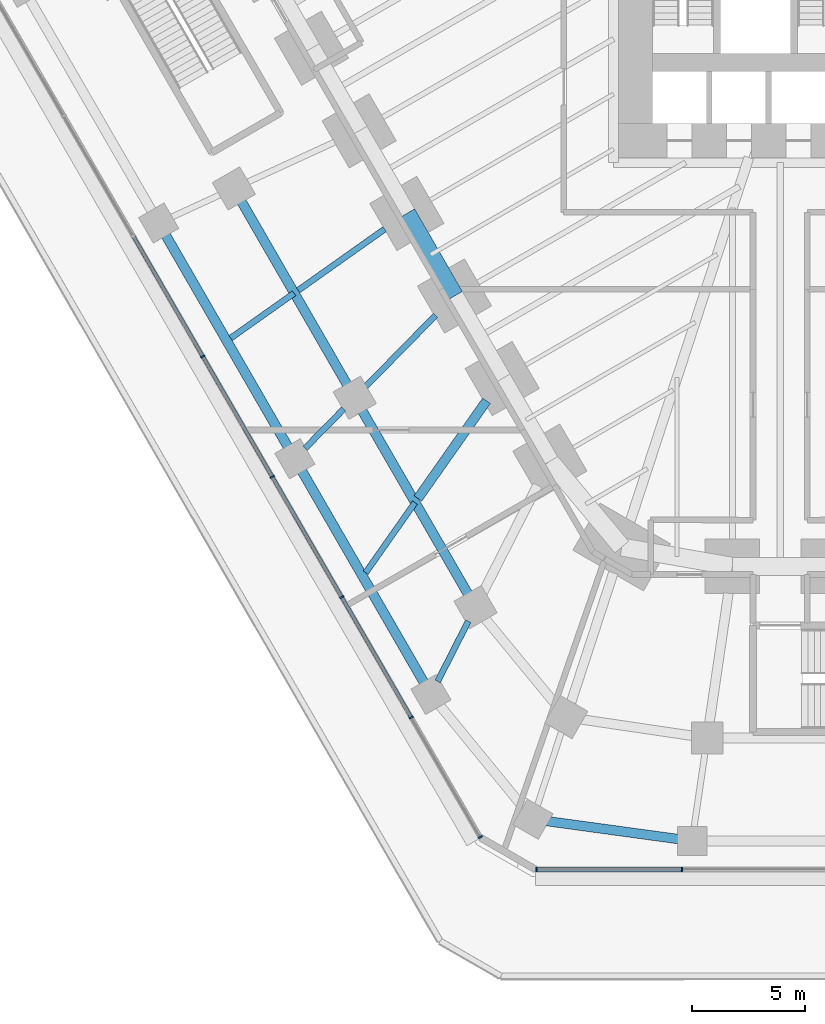
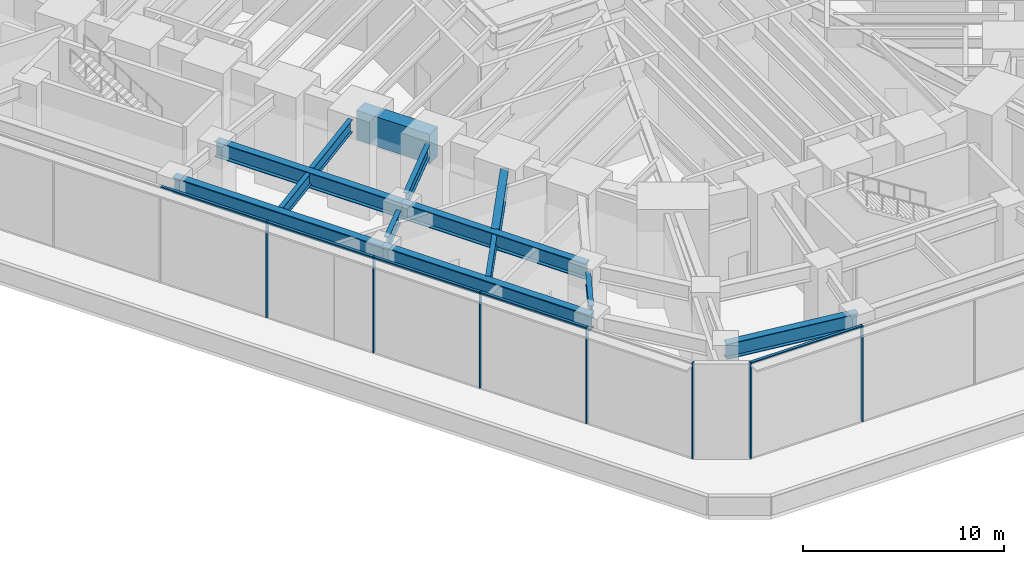
# One storey, part 2 of 25: 13 beams, 12 members, 2 elements without a shape of their own.
"""IFC4 building model written with IfcOpenShell, lengths in metres."""

from ifc_helpers import new_model, si_unit, direction, frame, origin, origin_2d, place, context, subcontext, project, spatial, rectangle, i_section, extrude, material, material_profile, profile_set, type_object, element, aggregate, save


model = new_model("IFC4")

# Units and contexts
model_context = context("Model", 3, precision=1e-05, world=origin(), true_north=direction((0.0, 1.0)))
body_context = subcontext(model_context, "Body", "Model", "MODEL_VIEW")
ifc_project = project(units=[si_unit("LENGTHUNIT", "METRE"), si_unit("AREAUNIT", "SQUARE_METRE"), si_unit("VOLUMEUNIT", "CUBIC_METRE"), si_unit("PLANEANGLEUNIT", "RADIAN"), si_unit("MASSUNIT", "GRAM", prefix="KILO")], contexts=[model_context])

# Site, building, storey
site_placement = place(None, origin())
site = spatial("IfcSite", under=ifc_project, at=site_placement, CompositionType="ELEMENT")
building_placement = place(site_placement, origin())
building = spatial("IfcBuilding", under=site, at=building_placement, Name="Sandreach Pilgrim Tower", CompositionType="ELEMENT")
storey_placement = place(building_placement, frame((0.0, 0.0, 6.0)))
storey = spatial("IfcBuildingStorey", under=building, at=storey_placement, Name="L01", CompositionType="ELEMENT", Elevation=6.0)

# Curtain wall, members
ifc_material_1 = material(Name="Aluminium framed curtain wall", Category="aluminium")
curtain_wall_type = type_object("IfcCurtainWallType", Name="Podium storefront curtain wall", PredefinedType="NOTDEFINED", material=ifc_material_1)
curtain_wall_1_placement = place(storey_placement, origin())
curtain_wall_1 = element("IfcCurtainWall", 1, at=curtain_wall_1_placement, inside=storey, type_object=curtain_wall_type, Name="CW-P L01 S", PredefinedType="NOTDEFINED")
ifc_material_2 = material(Name="Aluminium extrusion", Category="aluminium")
ifc_material_profile_1 = material_profile(ifc_material_2, rectangle(XDim=0.070068359375, YDim=0.199951171875, at=origin_2d()), Name="CW-PM 70X200")
ifc_profile_set_1 = profile_set([ifc_material_profile_1], Name="Aluminium extrusion")
member_type_1 = type_object("IfcMemberType", Name="CW-P mullion", PredefinedType="MULLION", material=ifc_profile_set_1)
member_1_placement = place(storey_placement, frame((-6.455078125, -42.13525390625, 0.0), z_axis=(0.0, 0.0, 1.0), x_axis=(-1.0, 0.0, 0.0)))
member_1 = element("IfcMember", 2, at=member_1_placement, type_object=member_type_1, Name="CW-P mullion 4", PredefinedType="MULLION", context=body_context, shape_type="SweptSolid", body=[
    extrude(rectangle(XDim=0.070068359375, YDim=0.199951171875, at=origin_2d()), origin(), (0.0, 0.0, 1.0), 5.840087890625),
])
member_2_placement = place(storey_placement, frame((-12.875244140625, -42.13525390625, 0.0), z_axis=(0.0, 0.0, 1.0), x_axis=(-1.0, 0.0, 0.0)))
member_2 = element("IfcMember", 3, at=member_2_placement, type_object=member_type_1, Name="CW-P mullion 5", PredefinedType="MULLION", context=body_context, shape_type="SweptSolid", body=[
    extrude(rectangle(XDim=0.070068359375, YDim=0.199951171875, at=origin_2d()), origin(), (0.0, 0.0, 1.0), 5.840087890625),
])

curtain_wall_2_placement = place(storey_placement, origin())
curtain_wall_2 = element("IfcCurtainWall", 4, at=curtain_wall_2_placement, inside=storey, type_object=curtain_wall_type, Name="CW-P L01 SW", PredefinedType="NOTDEFINED")
member_3_placement = place(storey_placement, frame((-15.3525390625, -40.704833984375, 0.0), z_axis=(0.0, 0.0, 1.0), x_axis=(-0.5, 0.866025403784, 0.0)))
member_3 = element("IfcMember", 5, at=member_3_placement, type_object=member_type_1, Name="CW-P mullion 1", PredefinedType="MULLION", context=body_context, shape_type="SweptSolid", body=[
    extrude(rectangle(XDim=0.070068359375, YDim=0.199951171875, at=origin_2d()), origin(), (0.0, 0.0, 1.0), 5.840087890625),
])
member_4_placement = place(storey_placement, frame((-18.40283203125, -35.421630859375, 0.0), z_axis=(0.0, 0.0, 1.0), x_axis=(-0.5, 0.866025403784, 0.0)))
member_4 = element("IfcMember", 6, at=member_4_placement, type_object=member_type_1, Name="CW-P mullion 2", PredefinedType="MULLION", context=body_context, shape_type="SweptSolid", body=[
    extrude(rectangle(XDim=0.070068359375, YDim=0.199951171875, at=origin_2d()), origin(), (0.0, 0.0, 1.0), 5.840087890625),
])
member_5_placement = place(storey_placement, frame((-21.470703125, -30.108154296875, 0.0), z_axis=(0.0, 0.0, 1.0), x_axis=(-0.5, 0.866025403784, 0.0)))
member_5 = element("IfcMember", 7, at=member_5_placement, type_object=member_type_1, Name="CW-P mullion 3", PredefinedType="MULLION", context=body_context, shape_type="SweptSolid", body=[
    extrude(rectangle(XDim=0.070068359375, YDim=0.199951171875, at=origin_2d()), origin(), (0.0, 0.0, 1.0), 5.840087890625),
])
member_6_placement = place(storey_placement, frame((-24.53857421875, -24.79443359375, 0.0), z_axis=(0.0, 0.0, 1.0), x_axis=(-0.5, 0.866025403784, 0.0)))
member_6 = element("IfcMember", 8, at=member_6_placement, type_object=member_type_1, Name="CW-P mullion 4", PredefinedType="MULLION", context=body_context, shape_type="SweptSolid", body=[
    extrude(rectangle(XDim=0.070068359375, YDim=0.199951171875, at=origin_2d()), origin(), (0.0, 0.0, 1.0), 5.840087890625),
])
member_7_placement = place(storey_placement, frame((-27.606201171875, -19.48095703125, 0.0), z_axis=(0.0, 0.0, 1.0), x_axis=(-0.5, 0.866025403784, 0.0)))
member_7 = element("IfcMember", 9, at=member_7_placement, type_object=member_type_1, Name="CW-P mullion 5", PredefinedType="MULLION", context=body_context, shape_type="SweptSolid", body=[
    extrude(rectangle(XDim=0.070068359375, YDim=0.199951171875, at=origin_2d()), origin(), (0.0, 0.0, 1.0), 5.840087890625),
])

# Member
ifc_material_3 = material(Name="Aluminium extrusion", Category="aluminium")
ifc_material_profile_2 = material_profile(ifc_material_3, rectangle(XDim=0.159912109375, YDim=0.070068359375, at=origin_2d()), Name="CW-PT 160X70")
ifc_profile_set_2 = profile_set([ifc_material_profile_2], Name="Aluminium extrusion")
member_type_2 = type_object("IfcMemberType", Name="CW-P transom", PredefinedType="USERDEFINED", material=ifc_profile_set_2)
member_8_placement = place(storey_placement, frame((-6.489990234375, -42.13525390625, 5.804931640625), z_axis=(-1.0, 0.0, 0.0), x_axis=(0.0, -1.0, 0.0)))
member_8 = element("IfcMember", 10, at=member_8_placement, type_object=member_type_2, Name="CW-P head transom 4", ObjectType="TRANSOM", PredefinedType="USERDEFINED", context=body_context, shape_type="SweptSolid", body=[
    extrude(rectangle(XDim=0.159912109375, YDim=0.070068359375, at=origin_2d()), origin(), (0.0, 0.0, 1.0), 6.350341796875),
])

aggregate(curtain_wall_1, [member_1, member_2, member_8])

member_9_placement = place(storey_placement, frame((-18.42041015625, -35.391357421875, 5.804931640625), z_axis=(-0.499991897794, 0.866030081544, 0.0), x_axis=(-0.866030081544, -0.499991897794, 0.0)))
member_9 = element("IfcMember", 11, at=member_9_placement, type_object=member_type_2, Name="CW-P head transom 2", ObjectType="TRANSOM", PredefinedType="USERDEFINED", context=body_context, shape_type="SweptSolid", body=[
    extrude(rectangle(XDim=0.159912109375, YDim=0.070068359375, at=origin_2d()), origin(), (0.0, 0.0, 1.0), 6.0654296875),
])

member_10_placement = place(storey_placement, frame((-21.48828125, -30.07763671875, 5.804931640625), z_axis=(-0.499991897794, 0.866030081544, 0.0), x_axis=(-0.866030081544, -0.499991897794, 0.0)))
member_10 = element("IfcMember", 12, at=member_10_placement, type_object=member_type_2, Name="CW-P head transom 3", ObjectType="TRANSOM", PredefinedType="USERDEFINED", context=body_context, shape_type="SweptSolid", body=[
    extrude(rectangle(XDim=0.159912109375, YDim=0.070068359375, at=origin_2d()), origin(), (0.0, 0.0, 1.0), 6.0654296875),
])

member_11_placement = place(storey_placement, frame((-24.555908203125, -24.76416015625, 5.804931640625), z_axis=(-0.500022085096, 0.866012652573, 0.0), x_axis=(-0.866012652573, -0.500022085096, 0.0)))
member_11 = element("IfcMember", 13, at=member_11_placement, type_object=member_type_2, Name="CW-P head transom 4", ObjectType="TRANSOM", PredefinedType="USERDEFINED", context=body_context, shape_type="SweptSolid", body=[
    extrude(rectangle(XDim=0.159912109375, YDim=0.070068359375, at=origin_2d()), origin(), (0.0, 0.0, 1.0), 6.065673828125),
])

member_12_placement = place(storey_placement, frame((-27.623779296875, -19.45068359375, 5.804931640625), z_axis=(-0.499974469505, 0.866040143321, 0.0), x_axis=(-0.866040143321, -0.499974469505, 0.0)))
member_12 = element("IfcMember", 14, at=member_12_placement, type_object=member_type_2, Name="CW-P head transom 5", ObjectType="TRANSOM", PredefinedType="USERDEFINED", context=body_context, shape_type="SweptSolid", body=[
    extrude(rectangle(XDim=0.159912109375, YDim=0.070068359375, at=origin_2d()), origin(), (0.0, 0.0, 1.0), 6.065673828125),
])

aggregate(curtain_wall_2, [member_3, member_4, member_5, member_6, member_7, member_9, member_10, member_11, member_12])

# Beams
ifc_material_4 = material(Name="Steel ASTM A992 Grade 50", Category="steel")
ifc_material_profile_3 = material_profile(ifc_material_4, i_section(OverallWidth=0.2666015625, OverallDepth=0.7568359375, WebThickness=0.013916015625, FlangeThickness=0.019287109375, at=origin_2d()), Name="W30X108")
ifc_profile_set_3 = profile_set([ifc_material_profile_3], Name="Steel ASTM A992 Grade 50")
beam_type_1 = type_object("IfcBeamType", Name="Podium beam W30X108", PredefinedType="BEAM", material=ifc_profile_set_3)
beam_1_placement = place(storey_placement, frame((-17.331787109375, -17.669921875, 5.46142578125), z_axis=(-0.700265324853, -0.713882675801, 0.0), x_axis=(0.713882675801, -0.700265324853, 0.0)))
element("IfcBeam", 15, at=beam_1_placement, inside=storey, type_object=beam_type_1, Name="BM L01 PR125-29", PredefinedType="BEAM", context=body_context, shape_type="SweptSolid", body=[
    extrude(i_section(OverallWidth=0.2666015625, OverallDepth=0.7568359375, WebThickness=0.013916015625, FlangeThickness=0.019287109375, at=origin_2d()), origin(), (0.0, 0.0, 1.0), 4.392578125),
])
beam_2_placement = place(storey_placement, frame((-19.575927734375, -13.86083984375, 5.46142578125), z_axis=(-0.816139386299, -0.577855087484, 0.0), x_axis=(0.577855087484, -0.816139386299, 0.0)))
element("IfcBeam", 16, at=beam_2_placement, inside=storey, type_object=beam_type_1, Name="BM L01 PR125-30", PredefinedType="BEAM", context=body_context, shape_type="SweptSolid", body=[
    extrude(i_section(OverallWidth=0.2666015625, OverallDepth=0.7568359375, WebThickness=0.013916015625, FlangeThickness=0.019287109375, at=origin_2d()), origin(), (0.0, 0.0, 1.0), 4.67626953125),
])
beam_3_placement = place(storey_placement, frame((-15.880859375, -31.169189453125, 5.37158203125), z_axis=(-0.454000462541, -0.891001447817, 0.0), x_axis=(0.891001447817, -0.454000462541, 0.0)))
element("IfcBeam", 17, at=beam_3_placement, inside=storey, type_object=beam_type_1, Name="BM L01 PR140-27", PredefinedType="BEAM", context=body_context, shape_type="SweptSolid", body=[
    extrude(i_section(OverallWidth=0.2666015625, OverallDepth=0.7568359375, WebThickness=0.013916015625, FlangeThickness=0.019287109375, at=origin_2d()), origin(), (0.0, 0.0, 1.0), 2.9873046875),
])
beam_4_placement = place(storey_placement, frame((-18.237548828125, -25.935302734375, 5.37158203125), z_axis=(-0.575192940591, -0.818017775537, 0.0), x_axis=(0.818017775537, -0.575192940591, 0.0)))
element("IfcBeam", 18, at=beam_4_placement, inside=storey, type_object=beam_type_1, Name="BM L01 PR140-28", PredefinedType="BEAM", context=body_context, shape_type="SweptSolid", body=[
    extrude(i_section(OverallWidth=0.2666015625, OverallDepth=0.7568359375, WebThickness=0.013916015625, FlangeThickness=0.019287109375, at=origin_2d()), origin(), (0.0, 0.0, 1.0), 3.784423828125),
])
beam_5_placement = place(storey_placement, frame((-21.38818359375, -21.80517578125, 5.37158203125), z_axis=(-0.700229384967, -0.713917928356, 0.0), x_axis=(0.713917928356, -0.700229384967, 0.0)))
element("IfcBeam", 19, at=beam_5_placement, inside=storey, type_object=beam_type_1, Name="BM L01 PR140-29", PredefinedType="BEAM", context=body_context, shape_type="SweptSolid", body=[
    extrude(i_section(OverallWidth=0.2666015625, OverallDepth=0.7568359375, WebThickness=0.013916015625, FlangeThickness=0.019287109375, at=origin_2d()), origin(), (0.0, 0.0, 1.0), 2.425537109375),
])
beam_6_placement = place(storey_placement, frame((-23.5751953125, -16.6923828125, 5.37158203125), z_axis=(-0.816128057089, -0.577871088075, 0.0), x_axis=(0.577871088075, -0.816128057089, 0.0)))
element("IfcBeam", 20, at=beam_6_placement, inside=storey, type_object=beam_type_1, Name="BM L01 PR140-30", PredefinedType="BEAM", context=body_context, shape_type="SweptSolid", body=[
    extrude(i_section(OverallWidth=0.2666015625, OverallDepth=0.7568359375, WebThickness=0.013916015625, FlangeThickness=0.019287109375, at=origin_2d()), origin(), (0.0, 0.0, 1.0), 3.427490234375),
])
ifc_material_5 = material(Name="Steel ASTM A992 Grade 50", Category="steel")
ifc_material_profile_4 = material_profile(ifc_material_5, i_section(OverallWidth=0.419189453125, OverallDepth=0.927001953125, WebThickness=0.019287109375, FlangeThickness=0.031982421875, at=origin_2d()), Name="W36X231")
ifc_profile_set_4 = profile_set([ifc_material_profile_4], Name="Steel ASTM A992 Grade 50")
beam_type_2 = type_object("IfcBeamType", Name="Podium beam W36X231", PredefinedType="BEAM", material=ifc_profile_set_4)
beam_7_placement = place(storey_placement, frame((-15.076904296875, -21.440673828125, 5.37646484375), z_axis=(-0.575223731199, -0.817996124114, 0.0), x_axis=(0.817996124114, -0.575223731199, 0.0)))
element("IfcBeam", 21, at=beam_7_placement, inside=storey, type_object=beam_type_2, Name="BM L01 PR125-28", PredefinedType="BEAM", context=body_context, shape_type="SweptSolid", body=[
    extrude(i_section(OverallWidth=0.419189453125, OverallDepth=0.927001953125, WebThickness=0.019287109375, FlangeThickness=0.031982421875, at=origin_2d()), origin(), (0.0, 0.0, 1.0), 5.2705078125),
])
ifc_material_6 = material(Name="Steel ASTM A992 Grade 50", Category="steel")
ifc_material_profile_5 = material_profile(ifc_material_6, i_section(OverallWidth=0.419189453125, OverallDepth=0.927001953125, WebThickness=0.019287109375, FlangeThickness=0.031982421875, at=origin_2d()), Name="W36X231")
ifc_profile_set_5 = profile_set([ifc_material_profile_5], Name="Steel ASTM A992 Grade 50")
beam_type_3 = type_object("IfcBeamType", Name="Podium edge beam W36X231", PredefinedType="BEAM", material=ifc_profile_set_5)
beam_8_placement = place(storey_placement, frame((-6.0029296875, -40.875244140625, 5.286376953125), z_axis=(-0.990781922529, 0.135466534578, 0.0), x_axis=(-0.135466534578, -0.990781922529, 0.0)))
element("IfcBeam", 22, at=beam_8_placement, inside=storey, type_object=beam_type_3, Name="BM L01 PE140-25", PredefinedType="BEAM", context=body_context, shape_type="SweptSolid", body=[
    extrude(i_section(OverallWidth=0.419189453125, OverallDepth=0.927001953125, WebThickness=0.019287109375, FlangeThickness=0.031982421875, at=origin_2d()), origin(), (0.0, 0.0, 1.0), 7.091796875),
])
ifc_material_7 = material(Name="Steel ASTM A992 Grade 50", Category="steel")
ifc_material_profile_6 = material_profile(ifc_material_7, i_section(OverallWidth=0.424072265625, OverallDepth=0.947509765625, WebThickness=0.02392578125, FlangeThickness=0.042724609375, at=origin_2d()), Name="W36X302")
ifc_profile_set_6 = profile_set([ifc_material_profile_6], Name="Steel ASTM A992 Grade 50")
beam_type_4 = type_object("IfcBeamType", Name="Podium edge beam W36X302", PredefinedType="BEAM", material=ifc_profile_set_6)
beam_9_placement = place(storey_placement, frame((-15.563232421875, -30.545654296875, 5.3662109375), z_axis=(-0.499990509939, 0.866030882805, 0.0), x_axis=(-0.866030882805, -0.499990509939, 0.0)))
element("IfcBeam", 23, at=beam_9_placement, inside=storey, type_object=beam_type_4, Name="BM L01 PE125-27", PredefinedType="BEAM", context=body_context, shape_type="SweptSolid", body=[
    extrude(i_section(OverallWidth=0.424072265625, OverallDepth=0.947509765625, WebThickness=0.02392578125, FlangeThickness=0.042724609375, at=origin_2d()), origin(), (0.0, 0.0, 1.0), 10.669677734375),
])
beam_10_placement = place(storey_placement, frame((-20.89794921875, -21.305419921875, 5.3662109375), z_axis=(-0.500000418093, 0.866025162398, 0.0), x_axis=(-0.866025162398, -0.500000418093, 0.0)))
element("IfcBeam", 24, at=beam_10_placement, inside=storey, type_object=beam_type_4, Name="BM L01 PE125-29", PredefinedType="BEAM", context=body_context, shape_type="SweptSolid", body=[
    extrude(i_section(OverallWidth=0.424072265625, OverallDepth=0.947509765625, WebThickness=0.02392578125, FlangeThickness=0.042724609375, at=origin_2d()), origin(), (0.0, 0.0, 1.0), 10.66943359375),
])
ifc_material_8 = material(Name="Steel ASTM A992 Grade 50", Category="steel")
ifc_material_profile_7 = material_profile(ifc_material_8, i_section(OverallWidth=0.4267578125, OverallDepth=0.975341796875, WebThickness=0.031005859375, FlangeThickness=0.055908203125, at=origin_2d()), Name="W36X395")
ifc_profile_set_7 = profile_set([ifc_material_profile_7], Name="Steel ASTM A992 Grade 50")
beam_type_5 = type_object("IfcBeamType", Name="Podium edge beam W36X395", PredefinedType="BEAM", material=ifc_profile_set_7)
beam_11_placement = place(storey_placement, frame((-17.531982421875, -34.409912109375, 5.26220703125), z_axis=(-0.500010226345, 0.866019499521, 0.0), x_axis=(-0.866019499521, -0.500010226345, 0.0)))
element("IfcBeam", 25, at=beam_11_placement, inside=storey, type_object=beam_type_5, Name="BM L01 PE140-27", PredefinedType="BEAM", context=body_context, shape_type="SweptSolid", body=[
    extrude(i_section(OverallWidth=0.4267578125, OverallDepth=0.975341796875, WebThickness=0.031005859375, FlangeThickness=0.055908203125, at=origin_2d()), origin(), (0.0, 0.0, 1.0), 12.019287109375),
])
beam_12_placement = place(storey_placement, frame((-23.541748046875, -24.0009765625, 5.26220703125), z_axis=(-0.500001430823, 0.866024577697, 0.0), x_axis=(-0.866024577697, -0.500001430823, 0.0)))
element("IfcBeam", 26, at=beam_12_placement, inside=storey, type_object=beam_type_5, Name="BM L01 PE140-29", PredefinedType="BEAM", context=body_context, shape_type="SweptSolid", body=[
    extrude(i_section(OverallWidth=0.4267578125, OverallDepth=0.975341796875, WebThickness=0.031005859375, FlangeThickness=0.055908203125, at=origin_2d()), origin(), (0.0, 0.0, 1.0), 12.01953125),
])
ifc_material_9 = material(Name="Concrete 10000 psi", Category="concrete")
ifc_material_profile_8 = material_profile(ifc_material_9, rectangle(XDim=0.800048828125, YDim=1.800048828125, at=origin_2d()), Name="RC800X1800")
ifc_profile_set_8 = profile_set([ifc_material_profile_8], Name="Concrete 10000 psi")
beam_type_6 = type_object("IfcBeamType", Name="Spandrel beam RC800X1800", PredefinedType="SPANDREL", material=ifc_profile_set_8)
beam_13_placement = place(storey_placement, frame((-16.491455078125, -16.813232421875, 4.93994140625), z_axis=(-0.499993523031, 0.866029143232, 0.0), x_axis=(-0.866029143232, -0.499993523031, 0.0)))
element("IfcBeam", 27, at=beam_13_placement, inside=storey, type_object=beam_type_6, Name="BM L01 SP29", PredefinedType="SPANDREL", context=body_context, shape_type="SweptSolid", body=[
    extrude(rectangle(XDim=0.800048828125, YDim=1.800048828125, at=origin_2d()), origin(), (0.0, 0.0, 1.0), 4.2099609375),
])

save(model, "model.ifc")
